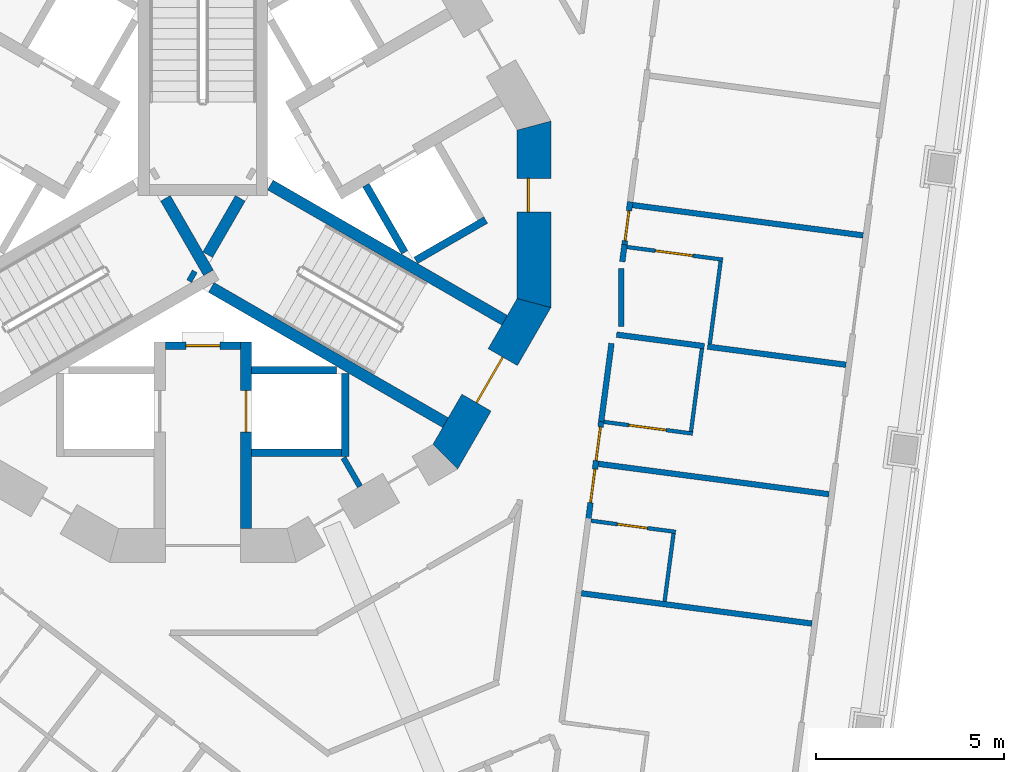
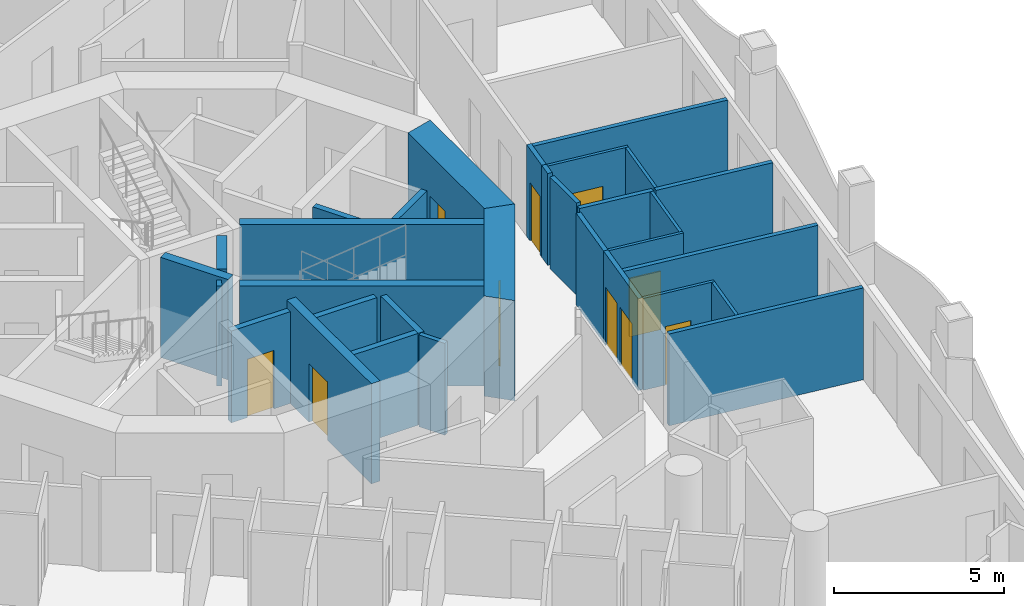
# One storey, part 5 of 17: 31 walls, 10 doors, 10 openings.
"""IFC4 building model written with IfcOpenShell, lengths in metres."""

from ifc_helpers import new_model, si_unit, direction, frame, frame_2d, origin, place, context, subcontext, project, spatial, polyline, rectangle, outline, extrude, material, layer, layer_set, type_object, element, fill, save


model = new_model("IFC4")

# Units and contexts
model_context = context("Model", 3, precision=1e-05, world=origin(), true_north=direction((0.0, 1.0)))
body_context = subcontext(model_context, "Body", "Model", "MODEL_VIEW")
ifc_project = project(units=[si_unit("LENGTHUNIT", "METRE"), si_unit("AREAUNIT", "SQUARE_METRE"), si_unit("VOLUMEUNIT", "CUBIC_METRE"), si_unit("PLANEANGLEUNIT", "RADIAN"), si_unit("MASSUNIT", "GRAM", prefix="KILO")], contexts=[model_context])

# Site, building, storey
site_placement = place(None, origin())
site = spatial("IfcSite", under=ifc_project, at=site_placement, CompositionType="ELEMENT")
building_placement = place(site_placement, origin())
building = spatial("IfcBuilding", under=site, at=building_placement, Name="Trine Commons Tower", CompositionType="ELEMENT")
storey_placement = place(building_placement, frame((0.0, 0.0, 127.800048828125)))
storey = spatial("IfcBuildingStorey", under=building, at=storey_placement, Name="L32", CompositionType="ELEMENT", Elevation=127.800048828125)

# Wall
ifc_material_1 = material(Name="Plasterboard partition on steel studs", Category="steel")
ifc_layer_1 = layer(ifc_material_1, 0.14990234375)
ifc_layer_set_1 = layer_set([ifc_layer_1], Name="Plasterboard partition on steel studs")
wall_type_1 = type_object("IfcWallType", Name="Core room partition 150 mm, EI 60", PredefinedType="PARTITIONING", material=ifc_layer_set_1)
wall_1_placement = place(storey_placement, frame((84.18603515625, 55.2490234375, 0.0), z_axis=(0.0, 0.0, 1.0), x_axis=(-0.499890179513, 0.866088799389, 0.0)))
element("IfcWall", 1, at=wall_1_placement, inside=storey, type_object=wall_type_1, Name="Core room partition L32", PredefinedType="PARTITIONING", context=body_context, shape_type="SweptSolid", body=[
    extrude(rectangle(XDim=0.882080078125, YDim=0.14990234375, at=frame_2d((0.44091796875, 0.0))), origin(), (0.0, 0.0, 1.0), 3.300048828125),
])

# Wall, opening, door
ifc_material_2 = material(Name="Fire-rated gypsum shaft wall system")
ifc_layer_2 = layer(ifc_material_2, 0.199951171875)
ifc_layer_set_2 = layer_set([ifc_layer_2], Name="Fire-rated gypsum shaft wall system")
wall_type_2 = type_object("IfcWallType", Name="Lobby end wall 200 mm, EI 120", PredefinedType="PARTITIONING", material=ifc_layer_set_2)
wall_2_placement = place(storey_placement, frame((79.0, 59.0, 0.0), z_axis=(0.0, 0.0, 1.0), x_axis=(1.0, 0.0, 0.0)))
wall_2 = element("IfcWall", 2, at=wall_2_placement, inside=storey, type_object=wall_type_2, Name="Lobby end wall L32", PredefinedType="PARTITIONING", context=body_context, shape_type="SweptSolid", body=[
    extrude(rectangle(XDim=2.0, YDim=0.199951171875, at=frame_2d((1.0, 0.0))), origin(), (0.0, 0.0, 1.0), 3.300048828125),
])
opening_1_placement = place(wall_2_placement, frame((0.550048828125, 0.0, 0.0)))
opening_1 = element("IfcOpeningElement", 3, at=opening_1_placement, cuts=wall_2, Name="Opening K11.09", PredefinedType="OPENING", context=body_context, shape_type="SweptSolid", body=[
    extrude(rectangle(XDim=0.89990234375, YDim=2.10009765625, at=frame_2d((0.449951171875, 1.050048828125))), frame((0.0, 0.10986328125, 0.0), z_axis=(0.0, -1.0, 0.0), x_axis=(1.0, 0.0, 0.0)), (0.0, 0.0, 1.0), 0.219970703125),
])
ifc_material_3 = material(Name="Steel door leaf, fire-rated", Category="steel")
door_type_1 = type_object("IfcDoorType", Name="Riser access door, single leaf 900 x 2100, FD60", OperationType="SINGLE_SWING_LEFT", PredefinedType="DOOR", material=ifc_material_3)
door_1_placement = place(opening_1_placement, frame((0.89990234375, 0.0, 0.0), z_axis=(0.0, 0.0, 1.0), x_axis=(-1.0, 0.0, 0.0)))
door_1 = element("IfcDoor", 4, at=door_1_placement, inside=storey, type_object=door_type_1, Name="Riser door, Communications riser L32", OperationType="SINGLE_SWING_RIGHT", OverallHeight=2.10009765625, OverallWidth=0.89990234375, PredefinedType="DOOR", context=body_context, shape_type="SweptSolid", body=[
    extrude(rectangle(XDim=0.89990234375, YDim=2.10009765625, at=frame_2d((0.449951171875, 1.050048828125))), frame((0.0, 0.02490234375, 0.0), z_axis=(0.0, -1.0, 0.0), x_axis=(1.0, 0.0, 0.0)), (0.0, 0.0, 1.0), 0.050048828125),
])
fill(opening_1, door_1)

ifc_material_4 = material(Name="Concrete C70/85", Category="concrete")
ifc_layer_3 = layer(ifc_material_4, 0.300048828125)
ifc_layer_set_3 = layer_set([ifc_layer_3], Name="Concrete C70/85")
wall_type_3 = type_object("IfcWallType", Name="RC shear wall 300 mm, C70/85", PredefinedType="SHEAR", material=ifc_layer_set_3)
wall_3_placement = place(storey_placement, frame((81.14990234375, 59.10009765625, 0.0), z_axis=(0.0, 0.0, 1.0), x_axis=(0.0, -1.0, 0.0)))
wall_3 = element("IfcWall", 5, at=wall_3_placement, inside=storey, type_object=wall_type_3, Name="Core cross wall SWB-04 L32", PredefinedType="SHEAR", context=body_context, shape_type="SweptSolid", body=[
    extrude(rectangle(XDim=4.97314453125, YDim=0.300048828125, at=frame_2d((2.486572265625, 0.0))), origin(), (0.0, 0.0, 1.0), 3.599853515625),
])
opening_2_placement = place(wall_3_placement, frame((1.300048828125, 0.0, 0.0)))
opening_2 = element("IfcOpeningElement", 6, at=opening_2_placement, cuts=wall_3, Name="Opening LD9", PredefinedType="OPENING", context=body_context, shape_type="SweptSolid", body=[
    extrude(rectangle(XDim=1.10009765625, YDim=2.10009765625, at=frame_2d((0.550048828125, 1.050048828125))), frame((0.0, 0.159912109375, 0.0), z_axis=(0.0, -1.0, 0.0), x_axis=(1.0, 0.0, 0.0)), (0.0, 0.0, 1.0), 0.320068359375),
])
ifc_material_5 = material(Name="Stainless steel sliding door leaves", Category="steel")
door_type_2 = type_object("IfcDoorType", Name="Lift landing door, centre-opening sliding 1100 x 2100, FD90", OperationType="DOUBLE_DOOR_SLIDING", PredefinedType="DOOR", material=ifc_material_5)
door_2_placement = place(opening_2_placement, origin())
door_2 = element("IfcDoor", 7, at=door_2_placement, inside=storey, type_object=door_type_2, Name="Lift landing door FF1 L32", OperationType="DOUBLE_DOOR_SLIDING", OverallHeight=2.10009765625, OverallWidth=1.10009765625, PredefinedType="DOOR", context=body_context, shape_type="SweptSolid", body=[
    extrude(rectangle(XDim=1.10009765625, YDim=2.10009765625, at=frame_2d((0.550048828125, 1.050048828125))), frame((0.0, 0.02490234375, 0.0), z_axis=(0.0, -1.0, 0.0), x_axis=(1.0, 0.0, 0.0)), (0.0, 0.0, 1.0), 0.050048828125),
])
fill(opening_2, door_2)

# Walls
wall_4_placement = place(storey_placement, frame((79.0029296875, 62.926025390625, 0.0), z_axis=(0.0, 0.0, 1.0), x_axis=(0.499965247104, -0.866045467449, 0.0)))
element("IfcWall", 8, at=wall_4_placement, inside=storey, type_object=wall_type_3, Name="Core cross wall SWB-10 L32", PredefinedType="SHEAR", context=body_context, shape_type="SweptSolid", body=[
    extrude(rectangle(XDim=2.292236328125, YDim=0.300048828125, at=frame_2d((1.14599609375, 0.0))), origin(), (0.0, 0.0, 1.0), 3.599853515625),
])
wall_5_placement = place(storey_placement, frame((79.64599609375, 60.885986328125, 0.0), z_axis=(0.0, 0.0, 1.0), x_axis=(0.867331893649, -0.497730234424, 0.0)))
element("IfcWall", 9, at=wall_5_placement, inside=storey, type_object=wall_type_3, Name="Core cross wall SWB-11 L32", PredefinedType="SHEAR", context=body_context, shape_type="SweptSolid", body=[
    extrude(rectangle(XDim=0.148681640625, YDim=0.300048828125, at=frame_2d((0.07421875, 0.0))), origin(), (0.0, 0.0, 1.0), 3.599853515625),
])
wall_6_placement = place(storey_placement, frame((80.1298828125, 61.424072265625, 0.0), z_axis=(0.0, 0.0, 1.0), x_axis=(0.500014901547, 0.866016800201, 0.0)))
element("IfcWall", 10, at=wall_6_placement, inside=storey, type_object=wall_type_3, Name="Core cross wall SWB-12 L32", PredefinedType="SHEAR", context=body_context, shape_type="SweptSolid", body=[
    extrude(rectangle(XDim=1.734375, YDim=0.300048828125, at=frame_2d((0.8671875, 0.0))), origin(), (0.0, 0.0, 1.0), 3.599853515625),
])
for number, where, z_axis, x_axis, name in (
    (11, (80.22509765625, 60.552001953125, 0.0), (0.0, 0.0, 1.0), (0.866028135082, -0.499995269223, 0.0), "Core cross wall SWB-13 L32"),
    (12, (81.800048828125, 63.280029296875, 0.0), (0.0, 0.0, 1.0), (0.866028135082, -0.499995269223, 0.0), "Core cross wall SWB-18 L32"),
):
    element("IfcWall", number, at=place(storey_placement, frame(where, z_axis=z_axis, x_axis=x_axis)), inside=storey, type_object=wall_type_3, Name=name, PredefinedType="SHEAR", context=body_context, shape_type="SweptSolid", body=[
        extrude(rectangle(XDim=7.2041015625, YDim=0.300048828125, at=frame_2d((3.60205078125, 0.0))), origin(), (0.0, 0.0, 1.0), 3.599853515625),
    ])

# Wall, opening, door
ifc_layer_4 = layer(ifc_material_4, 0.89990234375)
ifc_layer_set_4 = layer_set([ifc_layer_4], Name="Concrete C70/85")
wall_type_4 = type_object("IfcWallType", Name="RC shear wall 900 mm, C70/85", PredefinedType="SHEAR", material=ifc_layer_set_4)
wall_7_placement = place(storey_placement, frame((88.822998046875, 60.015380859375, 0.0), z_axis=(0.0, 0.0, 1.0), x_axis=(0.0, 1.0, 0.0)))
wall_7 = element("IfcWall", 13, at=wall_7_placement, inside=storey, type_object=wall_type_4, Name="Core wall CWD-01 L32", PredefinedType="SHEAR", context=body_context, shape_type="SweptSolid", body=[
    extrude(outline(polyline([(0.0, -0.449951171875), (4.969482421875, -0.449951171875), (4.728271484375, 0.449951171875), (0.2412109375, 0.449951171875), (0.0, -0.449951171875)])), origin(), (0.0, 0.0, 1.0), 3.599853515625),
])
opening_3_placement = place(wall_7_placement, frame((2.543701171875, 0.0, 0.0)))
opening_3 = element("IfcOpeningElement", 14, at=opening_3_placement, cuts=wall_7, Name="Opening K11.10", PredefinedType="OPENING", context=body_context, shape_type="SweptSolid", body=[
    extrude(rectangle(XDim=0.89990234375, YDim=2.10009765625, at=frame_2d((0.449951171875, 1.050048828125))), frame((0.0, 0.4599609375, 0.0), z_axis=(0.0, -1.0, 0.0), x_axis=(1.0, 0.0, 0.0)), (0.0, 0.0, 1.0), 0.919921875),
])
door_type_3 = type_object("IfcDoorType", Name="Core room door, single leaf 900 x 2100, FD30S", OperationType="SINGLE_SWING_LEFT", PredefinedType="DOOR", material=ifc_material_3)
door_3_placement = place(opening_3_placement, origin())
door_3 = element("IfcDoor", 15, at=door_3_placement, inside=storey, type_object=door_type_3, Name="Door to Accessible WC L32", OperationType="SINGLE_SWING_RIGHT", OverallHeight=2.10009765625, OverallWidth=0.89990234375, PredefinedType="DOOR", context=body_context, shape_type="SweptSolid", body=[
    extrude(rectangle(XDim=0.89990234375, YDim=2.10009765625, at=frame_2d((0.449951171875, 1.050048828125))), frame((0.0, 0.1748046875, 0.0), z_axis=(0.0, -1.0, 0.0), x_axis=(1.0, 0.0, 0.0)), (0.0, 0.0, 1.0), 0.050048828125),
])
fill(opening_3, door_3)

wall_8_placement = place(storey_placement, frame((86.3984375, 55.936767578125, 0.0), z_axis=(0.0, 0.0, 1.0), x_axis=(0.500038571144, 0.866003133579, 0.0)))
wall_8 = element("IfcWall", 16, at=wall_8_placement, inside=storey, type_object=wall_type_4, Name="Core wall CWD-12 L32", PredefinedType="SHEAR", context=body_context, shape_type="SweptSolid", body=[
    extrude(outline(polyline([(0.0, -0.449951171875), (4.96923828125, -0.449951171875), (4.72802734375, 0.449951171875), (0.2412109375, 0.449951171875), (0.0, -0.449951171875)])), origin(), (0.0, 0.0, 1.0), 3.599853515625),
])
opening_4_placement = place(wall_8_placement, frame((1.78466796875, 0.0, 0.0)))
opening_4 = element("IfcOpeningElement", 17, at=opening_4_placement, cuts=wall_8, Name="Opening K11.03", PredefinedType="OPENING", context=body_context, shape_type="SweptSolid", body=[
    extrude(rectangle(XDim=1.39990234375, YDim=2.10009765625, at=frame_2d((0.699951171875, 1.050048828125))), frame((0.0, 0.4599609375, 0.0), z_axis=(0.0, -1.0, 0.0), x_axis=(1.0, 0.0, 0.0)), (0.0, 0.0, 1.0), 0.919921875),
])
ifc_material_6 = material(Name="Steel door leaves, fire-rated", Category="steel")
door_type_4 = type_object("IfcDoorType", Name="Stair door, double leaf 1400 x 2100, FD90", OperationType="DOUBLE_DOOR_SINGLE_SWING", PredefinedType="DOOR", material=ifc_material_6)
door_4_placement = place(opening_4_placement, origin())
door_4 = element("IfcDoor", 18, at=door_4_placement, inside=storey, type_object=door_type_4, Name="Stair door to Exit stair ST3B L32", OperationType="DOUBLE_DOOR_SINGLE_SWING", OverallHeight=2.10009765625, OverallWidth=1.39990234375, PredefinedType="DOOR", context=body_context, shape_type="SweptSolid", body=[
    extrude(rectangle(XDim=1.39990234375, YDim=2.10009765625, at=frame_2d((0.699951171875, 1.050048828125))), frame((0.0, 0.02490234375, 0.0), z_axis=(0.0, -1.0, 0.0), x_axis=(1.0, 0.0, 0.0)), (0.0, 0.0, 1.0), 0.050048828125),
])
fill(opening_4, door_4)

# Walls
ifc_layer_5 = layer(ifc_material_2, 0.199951171875)
ifc_layer_set_5 = layer_set([ifc_layer_5], Name="Fire-rated gypsum shaft wall system")
wall_type_5 = type_object("IfcWallType", Name="Shaft wall 200 mm, EI 120", PredefinedType="PARTITIONING", material=ifc_layer_set_5)
wall_9_placement = place(storey_placement, frame((81.300048828125, 56.14990234375, 0.0), z_axis=(0.0, 0.0, 1.0), x_axis=(1.0, 0.0, 0.0)))
element("IfcWall", 19, at=wall_9_placement, inside=storey, type_object=wall_type_5, Name="Shaft wall L32", PredefinedType="PARTITIONING", context=body_context, shape_type="SweptSolid", body=[
    extrude(rectangle(XDim=2.39990234375, YDim=0.199951171875, at=frame_2d((1.199951171875, 0.0))), origin(), (0.0, 0.0, 1.0), 3.300048828125),
])
wall_10_placement = place(storey_placement, frame((81.300048828125, 58.35009765625, 0.0), z_axis=(0.0, 0.0, 1.0), x_axis=(1.0, 0.0, 0.0)))
element("IfcWall", 20, at=wall_10_placement, inside=storey, type_object=wall_type_5, Name="Shaft wall L32", PredefinedType="PARTITIONING", context=body_context, shape_type="SweptSolid", body=[
    extrude(rectangle(XDim=2.264892578125, YDim=0.199951171875, at=frame_2d((1.13232421875, 0.0))), origin(), (0.0, 0.0, 1.0), 3.300048828125),
])
wall_11_placement = place(storey_placement, frame((83.800048828125, 58.257080078125, 0.0), z_axis=(0.0, 0.0, 1.0), x_axis=(0.0, -1.0, 0.0)))
element("IfcWall", 21, at=wall_11_placement, inside=storey, type_object=wall_type_5, Name="Shaft wall L32", PredefinedType="PARTITIONING", context=body_context, shape_type="SweptSolid", body=[
    extrude(rectangle(XDim=2.20703125, YDim=0.199951171875, at=frame_2d((1.103515625, 0.0))), origin(), (0.0, 0.0, 1.0), 3.300048828125),
])
wall_12_placement = place(storey_placement, frame((84.343994140625, 63.27587890625, 0.0), z_axis=(0.0, 0.0, 1.0), x_axis=(0.500271688072, -0.86586848777, 0.0)))
element("IfcWall", 22, at=wall_12_placement, inside=storey, type_object=wall_type_5, Name="Shaft wall L32", PredefinedType="PARTITIONING", context=body_context, shape_type="SweptSolid", body=[
    extrude(rectangle(XDim=2.064697265625, YDim=0.199951171875, at=frame_2d((1.0322265625, 0.0))), origin(), (0.0, 0.0, 1.0), 3.300048828125),
])
wall_13_placement = place(storey_placement, frame((85.675048828125, 61.27392578125, 0.0), z_axis=(0.0, 0.0, 1.0), x_axis=(0.866102336459, 0.499866725018, 0.0)))
element("IfcWall", 23, at=wall_13_placement, inside=storey, type_object=wall_type_5, Name="Shaft wall L32", PredefinedType="PARTITIONING", context=body_context, shape_type="SweptSolid", body=[
    extrude(rectangle(XDim=2.1484375, YDim=0.199951171875, at=frame_2d((1.07421875, 0.0))), origin(), (0.0, 0.0, 1.0), 3.300048828125),
])
ifc_material_7 = material(Name="Gypsum plasterboard on steel stud", Category="steel")
ifc_layer_6 = layer(ifc_material_7, 0.14990234375)
ifc_layer_set_6 = layer_set([ifc_layer_6], Name="Gypsum plasterboard on steel stud")
wall_type_6 = type_object("IfcWallType", Name="Unit and corridor wall 150 mm, EI 60", PredefinedType="PARTITIONING", material=ifc_layer_set_6)
wall_14_placement = place(storey_placement, frame((90.08740234375, 52.4033203125, 0.0), z_axis=(0.0, 0.0, 1.0), x_axis=(0.991452282991, -0.130469807049, 0.0)))
element("IfcWall", 24, at=wall_14_placement, inside=storey, type_object=wall_type_6, Name="Partition 105", PredefinedType="PARTITIONING", context=body_context, shape_type="SweptSolid", body=[
    extrude(rectangle(XDim=6.19384765625, YDim=0.14990234375, at=frame_2d((3.096923828125, 0.0))), origin(), (0.0, 0.0, 1.0), 3.300048828125),
])

# Wall, openings, doors
wall_15_placement = place(storey_placement, frame((90.26708984375, 54.342041015625, 0.0), z_axis=(0.0, 0.0, 1.0), x_axis=(0.13024822895, 0.991481416294, 0.0)))
wall_15 = element("IfcWall", 25, at=wall_15_placement, inside=storey, type_object=wall_type_6, Name="Partition 107", PredefinedType="PARTITIONING", context=body_context, shape_type="SweptSolid", body=[
    extrude(rectangle(XDim=2.66357421875, YDim=0.14990234375, at=frame_2d((1.331787109375, 0.0))), origin(), (0.0, 0.0, 1.0), 3.300048828125),
])
opening_5_placement = place(wall_15_placement, frame((1.612060546875, 0.0, 0.0)))
opening_5 = element("IfcOpeningElement", 26, at=opening_5_placement, cuts=wall_15, Name="Opening D-4A20", PredefinedType="OPENING", context=body_context, shape_type="SweptSolid", body=[
    extrude(rectangle(XDim=0.89990234375, YDim=2.10009765625, at=frame_2d((0.449951171875, 1.050048828125))), frame((0.0, 0.0849609375, 0.0), z_axis=(0.0, -1.0, 0.0), x_axis=(1.0, 0.0, 0.0)), (0.0, 0.0, 1.0), 0.169921875),
])
opening_6_placement = place(wall_15_placement, frame((0.482177734375, 0.0, 0.0)))
opening_6 = element("IfcOpeningElement", 27, at=opening_6_placement, cuts=wall_15, Name="Opening D-4A21", PredefinedType="OPENING", context=body_context, shape_type="SweptSolid", body=[
    extrude(rectangle(XDim=0.89990234375, YDim=2.10009765625, at=frame_2d((0.449951171875, 1.050048828125))), frame((0.0, 0.0849609375, 0.0), z_axis=(0.0, -1.0, 0.0), x_axis=(1.0, 0.0, 0.0)), (0.0, 0.0, 1.0), 0.169921875),
])
ifc_material_8 = material(Name="Timber fire door set", Category="wood")
door_type_5 = type_object("IfcDoorType", Name="Bedroom door 900 x 2100, FD30S", OperationType="NOTDEFINED", PredefinedType="DOOR", material=ifc_material_8)
door_5_placement = place(opening_5_placement, frame((0.89990234375, 0.0, 0.0), z_axis=(0.0, 0.0, 1.0), x_axis=(-1.0, 0.0, 0.0)))
door_5 = element("IfcDoor", 28, at=door_5_placement, inside=storey, type_object=door_type_5, Name="Door D-4A20", OperationType="SINGLE_SWING_LEFT", OverallHeight=2.10009765625, OverallWidth=0.89990234375, PredefinedType="DOOR", context=body_context, shape_type="SweptSolid", body=[
    extrude(rectangle(XDim=0.89990234375, YDim=2.10009765625, at=frame_2d((0.449951171875, 1.050048828125))), frame((0.0, 0.02490234375, 0.0), z_axis=(0.0, -1.0, 0.0), x_axis=(1.0, 0.0, 0.0)), (0.0, 0.0, 1.0), 0.050048828125),
])
fill(opening_5, door_5)
door_6_placement = place(opening_6_placement, frame((0.89990234375, 0.0, 0.0), z_axis=(0.0, 0.0, 1.0), x_axis=(-1.0, 0.0, 0.0)))
door_6 = element("IfcDoor", 29, at=door_6_placement, inside=storey, type_object=door_type_5, Name="Door D-4A21", OperationType="SINGLE_SWING_RIGHT", OverallHeight=2.10009765625, OverallWidth=0.89990234375, PredefinedType="DOOR", context=body_context, shape_type="SweptSolid", body=[
    extrude(rectangle(XDim=0.89990234375, YDim=2.10009765625, at=frame_2d((0.449951171875, 1.050048828125))), frame((0.0, 0.02490234375, 0.0), z_axis=(0.0, -1.0, 0.0), x_axis=(1.0, 0.0, 0.0)), (0.0, 0.0, 1.0), 0.050048828125),
])
fill(opening_6, door_6)

# Walls
wall_16_placement = place(storey_placement, frame((90.54150390625, 55.851318359375, 0.0), z_axis=(0.0, 0.0, 1.0), x_axis=(0.991431876291, -0.130624785832, 0.0)))
element("IfcWall", 30, at=wall_16_placement, inside=storey, type_object=wall_type_6, Name="Partition 109", PredefinedType="PARTITIONING", context=body_context, shape_type="SweptSolid", body=[
    extrude(rectangle(XDim=6.19384765625, YDim=0.14990234375, at=frame_2d((3.096923828125, 0.0))), origin(), (0.0, 0.0, 1.0), 3.300048828125),
])
wall_17_placement = place(storey_placement, frame((90.613037109375, 56.97509765625, 0.0), z_axis=(0.0, 0.0, 1.0), x_axis=(0.130718775618, 0.99141948826, 0.0)))
element("IfcWall", 31, at=wall_17_placement, inside=storey, type_object=wall_type_6, Name="Partition 110", PredefinedType="PARTITIONING", context=body_context, shape_type="SweptSolid", body=[
    extrude(rectangle(XDim=2.10302734375, YDim=0.14990234375, at=frame_2d((1.051513671875, 0.0))), origin(), (0.0, 0.0, 1.0), 3.300048828125),
])
wall_18_placement = place(storey_placement, frame((91.02197265625, 59.294921875, 0.0), z_axis=(0.0, 0.0, 1.0), x_axis=(0.991419384597, -0.130719561828, 0.0)))
element("IfcWall", 32, at=wall_18_placement, inside=storey, type_object=wall_type_6, Name="Partition 115", PredefinedType="PARTITIONING", context=body_context, shape_type="SweptSolid", body=[
    extrude(rectangle(XDim=2.35888671875, YDim=0.14990234375, at=frame_2d((1.179443359375, 0.0))), origin(), (0.0, 0.0, 1.0), 3.300048828125),
])
wall_19_placement = place(storey_placement, frame((91.14794921875, 59.512939453125, 0.0), z_axis=(0.0, 0.0, 1.0), x_axis=(0.0, 1.0, 0.0)))
element("IfcWall", 33, at=wall_19_placement, inside=storey, type_object=wall_type_6, Name="Partition 116", PredefinedType="PARTITIONING", context=body_context, shape_type="SweptSolid", body=[
    extrude(rectangle(XDim=1.550048828125, YDim=0.14990234375, at=frame_2d((0.77490234375, 0.0))), origin(), (0.0, 0.0, 1.0), 3.300048828125),
])
wall_20_placement = place(storey_placement, frame((91.175048828125, 61.237060546875, 0.0), z_axis=(0.0, 0.0, 1.0), x_axis=(0.129931052438, 0.991523031307, 0.0)))
element("IfcWall", 34, at=wall_20_placement, inside=storey, type_object=wall_type_6, Name="Partition 117", PredefinedType="PARTITIONING", context=body_context, shape_type="SweptSolid", body=[
    extrude(rectangle(XDim=0.45849609375, YDim=0.14990234375, at=frame_2d((0.229248046875, 0.0))), origin(), (0.0, 0.0, 1.0), 3.300048828125),
])

# Wall, opening, door
wall_21_placement = place(storey_placement, frame((91.22705078125, 61.634033203125, 0.0), z_axis=(0.0, 0.0, 1.0), x_axis=(0.130261514623, 0.9914796709, 0.0)))
wall_21 = element("IfcWall", 35, at=wall_21_placement, inside=storey, type_object=wall_type_6, Name="Partition 118", PredefinedType="PARTITIONING", context=body_context, shape_type="SweptSolid", body=[
    extrude(rectangle(XDim=1.210693359375, YDim=0.14990234375, at=frame_2d((0.60546875, 0.0))), origin(), (0.0, 0.0, 1.0), 3.300048828125),
])
opening_7_placement = place(wall_21_placement, frame((0.16796875, 0.0, 0.0)))
opening_7 = element("IfcOpeningElement", 36, at=opening_7_placement, cuts=wall_21, Name="Opening D-4A19", PredefinedType="OPENING", context=body_context, shape_type="SweptSolid", body=[
    extrude(rectangle(XDim=0.800048828125, YDim=2.10009765625, at=frame_2d((0.39990234375, 1.050048828125))), frame((0.0, 0.0849609375, 0.0), z_axis=(0.0, -1.0, 0.0), x_axis=(1.0, 0.0, 0.0)), (0.0, 0.0, 1.0), 0.169921875),
])
door_type_6 = type_object("IfcDoorType", Name="Bedroom door 800 x 2100, FD30S", OperationType="NOTDEFINED", PredefinedType="DOOR", material=ifc_material_8)
door_7_placement = place(opening_7_placement, frame((0.800048828125, 0.0, 0.0), z_axis=(0.0, 0.0, 1.0), x_axis=(-1.0, 0.0, 0.0)))
door_7 = element("IfcDoor", 37, at=door_7_placement, inside=storey, type_object=door_type_6, Name="Door D-4A19", OperationType="SINGLE_SWING_RIGHT", OverallHeight=2.10009765625, OverallWidth=0.800048828125, PredefinedType="DOOR", context=body_context, shape_type="SweptSolid", body=[
    extrude(rectangle(XDim=0.800048828125, YDim=2.10009765625, at=frame_2d((0.39990234375, 1.050048828125))), frame((0.0, 0.02490234375, 0.0), z_axis=(0.0, -1.0, 0.0), x_axis=(1.0, 0.0, 0.0)), (0.0, 0.0, 1.0), 0.050048828125),
])
fill(opening_7, door_7)

# Walls
wall_22_placement = place(storey_placement, frame((91.449462890625, 62.74609375, 0.0), z_axis=(0.0, 0.0, 1.0), x_axis=(0.991457381012, -0.130431060858, 0.0)))
element("IfcWall", 38, at=wall_22_placement, inside=storey, type_object=wall_type_6, Name="Partition 121", PredefinedType="PARTITIONING", context=body_context, shape_type="SweptSolid", body=[
    extrude(rectangle(XDim=6.19384765625, YDim=0.14990234375, at=frame_2d((3.096923828125, 0.0))), origin(), (0.0, 0.0, 1.0), 3.300048828125),
])
wall_23_placement = place(storey_placement, frame((93.4462890625, 58.9755859375, 0.0), z_axis=(0.0, 0.0, 1.0), x_axis=(0.991460099763, -0.130410392903, 0.0)))
element("IfcWall", 39, at=wall_23_placement, inside=storey, type_object=wall_type_6, Name="Partition 136", PredefinedType="PARTITIONING", context=body_context, shape_type="SweptSolid", body=[
    extrude(rectangle(XDim=3.7216796875, YDim=0.14990234375, at=frame_2d((1.86083984375, 0.0))), origin(), (0.0, 0.0, 1.0), 3.300048828125),
])

# Wall, opening, door
ifc_layer_7 = layer(ifc_material_7, 0.10009765625)
ifc_layer_set_7 = layer_set([ifc_layer_7], Name="Gypsum plasterboard on steel stud")
wall_type_7 = type_object("IfcWallType", Name="Unit partition 100 mm, no rating", PredefinedType="PARTITIONING", material=ifc_layer_set_7)
wall_24_placement = place(storey_placement, frame((90.34228515625, 54.336181640625, 0.0), z_axis=(0.0, 0.0, 1.0), x_axis=(0.991461599928, -0.130398987217, 0.0)))
wall_24 = element("IfcWall", 40, at=wall_24_placement, inside=storey, type_object=wall_type_7, Name="Partition 108", PredefinedType="PARTITIONING", context=body_context, shape_type="SweptSolid", body=[
    extrude(rectangle(XDim=2.27490234375, YDim=0.10009765625, at=frame_2d((1.137451171875, 0.0))), origin(), (0.0, 0.0, 1.0), 3.300048828125),
])
opening_8_placement = place(wall_24_placement, frame((0.71240234375, 0.0, 0.0)))
opening_8 = element("IfcOpeningElement", 41, at=opening_8_placement, cuts=wall_24, Name="Opening D-4A49", PredefinedType="OPENING", context=body_context, shape_type="SweptSolid", body=[
    extrude(rectangle(XDim=0.800048828125, YDim=2.10009765625, at=frame_2d((0.39990234375, 1.050048828125))), frame((0.0, 0.06005859375, 0.0), z_axis=(0.0, -1.0, 0.0), x_axis=(1.0, 0.0, 0.0)), (0.0, 0.0, 1.0), 0.1201171875),
])
ifc_material_9 = material(Name="Painted timber", Category="wood")
door_type_7 = type_object("IfcDoorType", Name="Internal door 800 x 2100, NOT RATED", OperationType="NOTDEFINED", PredefinedType="DOOR", material=ifc_material_9)
door_8_placement = place(opening_8_placement, origin())
door_8 = element("IfcDoor", 42, at=door_8_placement, inside=storey, type_object=door_type_7, Name="Door D-4A49", OperationType="SINGLE_SWING_LEFT", OverallHeight=2.10009765625, OverallWidth=0.800048828125, PredefinedType="DOOR", context=body_context, shape_type="SweptSolid", body=[
    extrude(rectangle(XDim=0.800048828125, YDim=2.10009765625, at=frame_2d((0.39990234375, 1.050048828125))), frame((0.0, 0.02490234375, 0.0), z_axis=(0.0, -1.0, 0.0), x_axis=(1.0, 0.0, 0.0)), (0.0, 0.0, 1.0), 0.050048828125),
])
fill(opening_8, door_8)

wall_25_placement = place(storey_placement, frame((90.6884765625, 56.96923828125, 0.0), z_axis=(0.0, 0.0, 1.0), x_axis=(0.991394526873, -0.130907952726, 0.0)))
wall_25 = element("IfcWall", 43, at=wall_25_placement, inside=storey, type_object=wall_type_7, Name="Partition 111", PredefinedType="PARTITIONING", context=body_context, shape_type="SweptSolid", body=[
    extrude(rectangle(XDim=2.381591796875, YDim=0.10009765625, at=frame_2d((1.19091796875, 0.0))), origin(), (0.0, 0.0, 1.0), 3.300048828125),
])
opening_9_placement = place(wall_25_placement, frame((0.666015625, 0.0, 0.0)))
opening_9 = element("IfcOpeningElement", 44, at=opening_9_placement, cuts=wall_25, Name="Opening D-4A48", PredefinedType="OPENING", context=body_context, shape_type="SweptSolid", body=[
    extrude(rectangle(XDim=1.0, YDim=2.10009765625, at=frame_2d((0.5, 1.050048828125))), frame((0.0, 0.06005859375, 0.0), z_axis=(0.0, -1.0, 0.0), x_axis=(1.0, 0.0, 0.0)), (0.0, 0.0, 1.0), 0.1201171875),
])
door_type_8 = type_object("IfcDoorType", Name="Internal door 1000 x 2100, NOT RATED", OperationType="NOTDEFINED", PredefinedType="DOOR", material=ifc_material_9)
door_9_placement = place(opening_9_placement, frame((1.0, 0.0, 0.0), z_axis=(0.0, 0.0, 1.0), x_axis=(-1.0, 0.0, 0.0)))
door_9 = element("IfcDoor", 45, at=door_9_placement, inside=storey, type_object=door_type_8, Name="Door D-4A48", OperationType="SINGLE_SWING_RIGHT", OverallHeight=2.10009765625, OverallWidth=1.0, PredefinedType="DOOR", context=body_context, shape_type="SweptSolid", body=[
    extrude(rectangle(XDim=1.0, YDim=2.10009765625, at=frame_2d((0.5, 1.050048828125))), frame((0.0, 0.02490234375, 0.0), z_axis=(0.0, -1.0, 0.0), x_axis=(1.0, 0.0, 0.0)), (0.0, 0.0, 1.0), 0.050048828125),
])
fill(opening_9, door_9)

wall_26_placement = place(storey_placement, frame((91.302490234375, 61.628173828125, 0.0), z_axis=(0.0, 0.0, 1.0), x_axis=(0.991446216664, -0.130515897359, 0.0)))
wall_26 = element("IfcWall", 46, at=wall_26_placement, inside=storey, type_object=wall_type_7, Name="Partition 119", PredefinedType="PARTITIONING", context=body_context, shape_type="SweptSolid", body=[
    extrude(rectangle(XDim=2.572021484375, YDim=0.10009765625, at=frame_2d((1.2861328125, 0.0))), origin(), (0.0, 0.0, 1.0), 3.300048828125),
])
opening_10_placement = place(wall_26_placement, frame((0.760986328125, 0.0, 0.0)))
opening_10 = element("IfcOpeningElement", 47, at=opening_10_placement, cuts=wall_26, Name="Opening D-4A47", PredefinedType="OPENING", context=body_context, shape_type="SweptSolid", body=[
    extrude(rectangle(XDim=1.0, YDim=2.10009765625, at=frame_2d((0.5, 1.050048828125))), frame((0.0, 0.06005859375, 0.0), z_axis=(0.0, -1.0, 0.0), x_axis=(1.0, 0.0, 0.0)), (0.0, 0.0, 1.0), 0.1201171875),
])
door_10_placement = place(opening_10_placement, origin())
door_10 = element("IfcDoor", 48, at=door_10_placement, inside=storey, type_object=door_type_8, Name="Door D-4A47", OperationType="SINGLE_SWING_LEFT", OverallHeight=2.10009765625, OverallWidth=1.0, PredefinedType="DOOR", context=body_context, shape_type="SweptSolid", body=[
    extrude(rectangle(XDim=1.0, YDim=2.10009765625, at=frame_2d((0.5, 1.050048828125))), frame((0.0, 0.02490234375, 0.0), z_axis=(0.0, -1.0, 0.0), x_axis=(1.0, 0.0, 0.0)), (0.0, 0.0, 1.0), 0.050048828125),
])
fill(opening_10, door_10)

# Walls
wall_27_placement = place(storey_placement, frame((92.302734375, 52.1875, 0.0), z_axis=(0.0, 0.0, 1.0), x_axis=(0.130866407284, 0.991400011824, 0.0)))
element("IfcWall", 49, at=wall_27_placement, inside=storey, type_object=wall_type_7, Name="Partition 124", PredefinedType="PARTITIONING", context=body_context, shape_type="SweptSolid", body=[
    extrude(rectangle(XDim=1.824462890625, YDim=0.10009765625, at=frame_2d((0.912109375, 0.0))), origin(), (0.0, 0.0, 1.0), 3.300048828125),
])
for number, where, z_axis, x_axis, name in (
    (50, (93.006591796875, 56.713623046875, 0.0), (0.0, 0.0, 1.0), (0.130568042, 0.991439350847, 0.0), "Partition 132"),
    (51, (93.505859375, 59.04345703125, 0.0), (0.0, 0.0, 1.0), (0.130568042, 0.991439350847, 0.0), "Partition 135"),
):
    element("IfcWall", number, at=place(storey_placement, frame(where, z_axis=z_axis, x_axis=x_axis)), inside=storey, type_object=wall_type_7, Name=name, PredefinedType="PARTITIONING", context=body_context, shape_type="SweptSolid", body=[
        extrude(rectangle(XDim=2.22509765625, YDim=0.10009765625, at=frame_2d((1.112548828125, 0.0))), origin(), (0.0, 0.0, 1.0), 3.300048828125),
    ])

save(model, "model.ifc")
